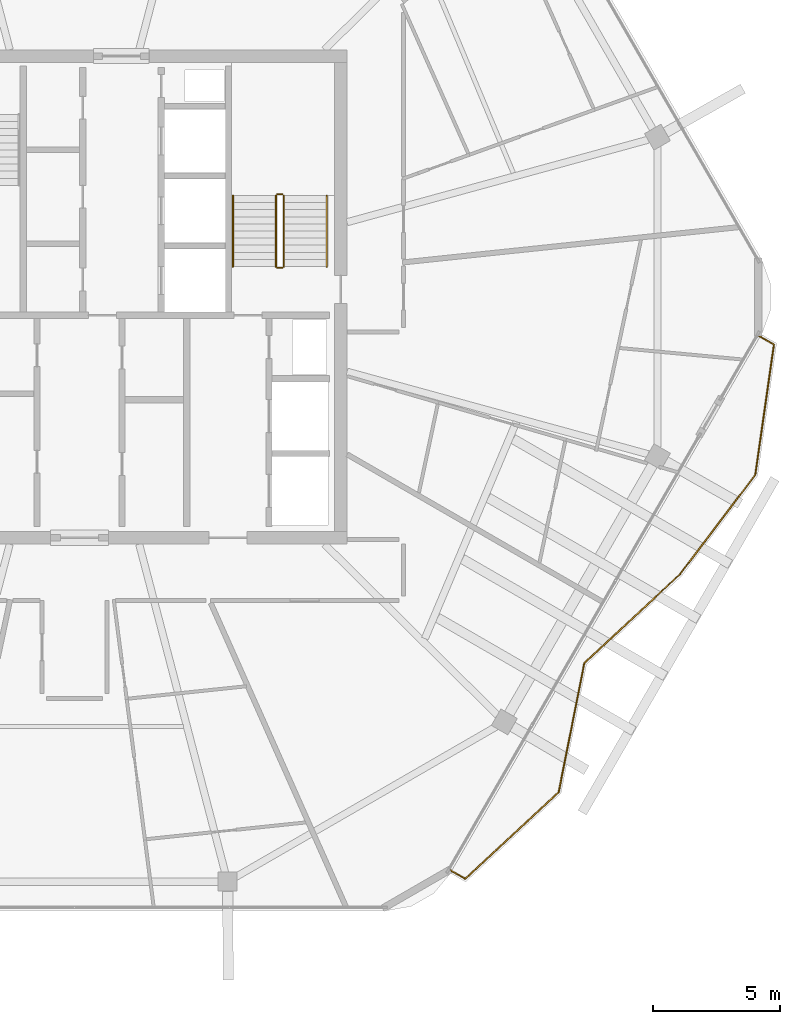
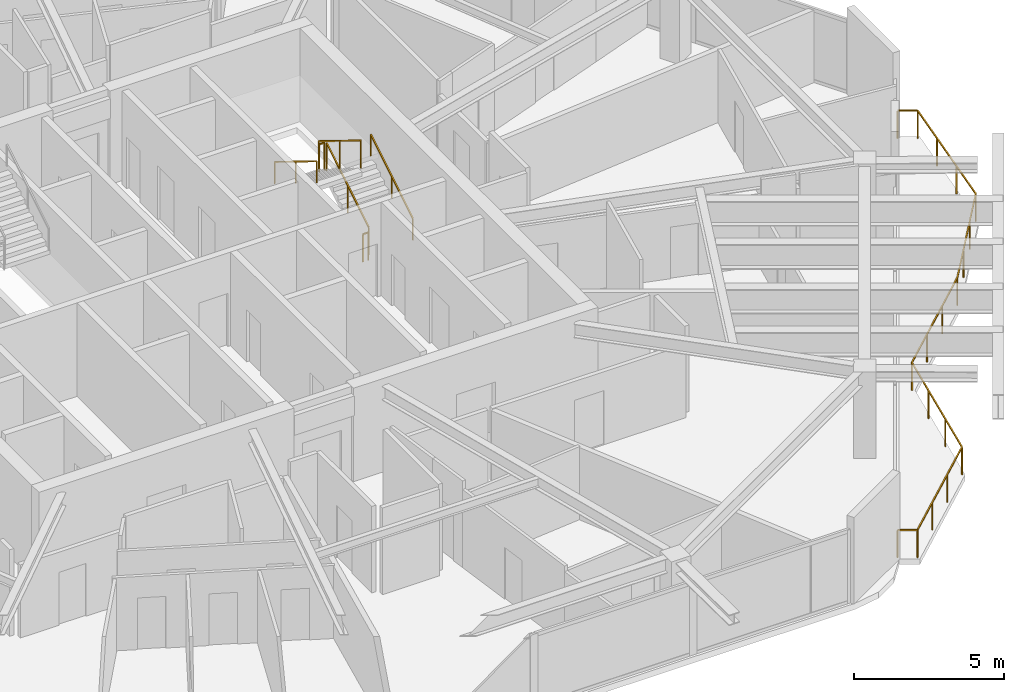
# One storey, part 22 of 23: 7 railings.
"""IFC4 building model written with IfcOpenShell, lengths in metres."""

from ifc_helpers import new_model, si_unit, direction, frame, origin, origin_2d, place, context, subcontext, project, spatial, rectangle, extrude, material, type_object, element, save


model = new_model("IFC4")

# Units and contexts
model_context = context("Model", 3, precision=1e-05, world=origin(), true_north=direction((0.0, 1.0)))
body_context = subcontext(model_context, "Body", "Model", "MODEL_VIEW")
ifc_project = project(units=[si_unit("LENGTHUNIT", "METRE"), si_unit("AREAUNIT", "SQUARE_METRE"), si_unit("VOLUMEUNIT", "CUBIC_METRE"), si_unit("PLANEANGLEUNIT", "RADIAN"), si_unit("MASSUNIT", "GRAM", prefix="KILO")], contexts=[model_context])

# Site, building, storey
site_placement = place(None, origin())
site = spatial("IfcSite", under=ifc_project, at=site_placement, CompositionType="ELEMENT")
building_placement = place(site_placement, origin())
building = spatial("IfcBuilding", under=site, at=building_placement, Name="Zuhravey Tower", CompositionType="ELEMENT")
storey_placement = place(building_placement, frame((0.0, 0.0, 350.0)))
storey = spatial("IfcBuildingStorey", under=building, at=storey_placement, Name="L89", CompositionType="ELEMENT", Elevation=350.0)

# Railings
ifc_material_1 = material(Name="Stainless steel 316 and laminated glass", Category="steel")
railing_type_1 = type_object("IfcRailingType", Name="Balcony & Terrace Guardrail 1150", PredefinedType="BALUSTRADE", material=ifc_material_1)
railing_1_placement = place(storey_placement, frame((63.006591796875, 30.45849609375, 0.0)))
element("IfcRailing", 1, at=railing_1_placement, inside=storey, type_object=railing_type_1, Name="L89 Face 6 Wave Balcony Guardrail GR1", PredefinedType="BALUSTRADE", context=body_context, shape_type="SweptSolid", body=[
    extrude(rectangle(XDim=0.048095703125, YDim=0.048095703125, at=origin_2d()), frame((0.001708984375, -0.0009765625, 1.1259765625), z_axis=(0.865931497966, -0.500162614387, 0.0), x_axis=(0.500162614387, 0.865931497966, 0.0)), (0.0, 0.0, 1.0), 0.668212890625),
    extrude(rectangle(XDim=0.048095703125, YDim=0.048095703125, at=origin_2d()), frame((0.581787109375, -0.338134765625, 1.1259765625), z_axis=(-0.141928123121, -0.989876966025, 0.0), x_axis=(0.989876966025, -0.141928123121, 0.0)), (0.0, 0.0, 1.0), 5.189208984375),
    extrude(rectangle(XDim=0.048095703125, YDim=0.048095703125, at=origin_2d()), frame((-0.15625, -5.478515625, 1.1259765625), z_axis=(-0.604064392377, -0.796935511734, 0.0), x_axis=(0.796935511734, -0.604064392377, 0.0)), (0.0, 0.0, 1.0), 4.907470703125),
    extrude(rectangle(XDim=0.048095703125, YDim=0.048095703125, at=origin_2d()), frame((-3.123291015625, -9.392333984375, 1.1259765625), z_axis=(-0.732208149932, -0.681080924101, 0.0), x_axis=(0.681080924101, -0.732208149932, 0.0)), (0.0, 0.0, 1.0), 5.153076171875),
    extrude(rectangle(XDim=0.048095703125, YDim=0.048095703125, at=origin_2d()), frame((-6.8984375, -12.9052734375, 1.1259765625), z_axis=(-0.194684661155, -0.980865884161, 0.0), x_axis=(0.980865884161, -0.194684661155, 0.0)), (0.0, 0.0, 1.0), 5.178955078125),
    extrude(rectangle(XDim=0.048095703125, YDim=0.048095703125, at=origin_2d()), frame((-7.908447265625, -17.988525390625, 1.1259765625), z_axis=(-0.732698375737, -0.680553517508, 0.0), x_axis=(0.680553517508, -0.732698375737, 0.0)), (0.0, 0.0, 1.0), 5.0244140625),
    extrude(rectangle(XDim=0.048095703125, YDim=0.048095703125, at=origin_2d()), frame((-11.593017578125, -21.408203125, 1.1259765625), z_axis=(-0.865910926182, 0.500198228624, 0.0), x_axis=(-0.500198228624, -0.865910926182, 0.0)), (0.0, 0.0, 1.0), 0.662353515625),
    extrude(rectangle(XDim=0.0419921875, YDim=0.0419921875, at=origin_2d()), origin(), (0.0, 0.0, 1.0), 1.099853515625),
    extrude(rectangle(XDim=0.0419921875, YDim=0.0419921875, at=origin_2d()), frame((0.58203125, -0.336181640625, 0.0)), (0.0, 0.0, 1.0), 1.099853515625),
    extrude(rectangle(XDim=0.0419921875, YDim=0.0419921875, at=origin_2d()), frame((0.33642578125, -2.0498046875, 0.0)), (0.0, 0.0, 1.0), 1.099853515625),
    extrude(rectangle(XDim=0.0419921875, YDim=0.0419921875, at=origin_2d()), frame((0.090576171875, -3.76318359375, 0.0)), (0.0, 0.0, 1.0), 1.099853515625),
    extrude(rectangle(XDim=0.0419921875, YDim=0.0419921875, at=origin_2d()), frame((-0.155029296875, -5.476806640625, 0.0)), (0.0, 0.0, 1.0), 1.099853515625),
    extrude(rectangle(XDim=0.0419921875, YDim=0.0419921875, at=origin_2d()), frame((-1.14404296875, -6.781494140625, 0.0)), (0.0, 0.0, 1.0), 1.099853515625),
    extrude(rectangle(XDim=0.0419921875, YDim=0.0419921875, at=origin_2d()), frame((-2.1328125, -8.086181640625, 0.0)), (0.0, 0.0, 1.0), 1.099853515625),
    extrude(rectangle(XDim=0.0419921875, YDim=0.0419921875, at=origin_2d()), frame((-3.121826171875, -9.390869140625, 0.0)), (0.0, 0.0, 1.0), 1.099853515625),
    extrude(rectangle(XDim=0.0419921875, YDim=0.0419921875, at=origin_2d()), frame((-4.380615234375, -10.561767578125, 0.0)), (0.0, 0.0, 1.0), 1.099853515625),
    extrude(rectangle(XDim=0.0419921875, YDim=0.0419921875, at=origin_2d()), frame((-5.63916015625, -11.732421875, 0.0)), (0.0, 0.0, 1.0), 1.099853515625),
    extrude(rectangle(XDim=0.0419921875, YDim=0.0419921875, at=origin_2d()), frame((-6.89794921875, -12.9033203125, 0.0)), (0.0, 0.0, 1.0), 1.099853515625),
    extrude(rectangle(XDim=0.0419921875, YDim=0.0419921875, at=origin_2d()), frame((-7.234375, -14.597900390625, 0.0)), (0.0, 0.0, 1.0), 1.099853515625),
    extrude(rectangle(XDim=0.0419921875, YDim=0.0419921875, at=origin_2d()), frame((-7.570556640625, -16.29248046875, 0.0)), (0.0, 0.0, 1.0), 1.099853515625),
    extrude(rectangle(XDim=0.0419921875, YDim=0.0419921875, at=origin_2d()), frame((-7.906982421875, -17.987060546875, 0.0)), (0.0, 0.0, 1.0), 1.099853515625),
    extrude(rectangle(XDim=0.0419921875, YDim=0.0419921875, at=origin_2d()), frame((-9.135009765625, -19.127685546875, 0.0)), (0.0, 0.0, 1.0), 1.099853515625),
    extrude(rectangle(XDim=0.0419921875, YDim=0.0419921875, at=origin_2d()), frame((-10.36328125, -20.2685546875, 0.0)), (0.0, 0.0, 1.0), 1.099853515625),
    extrude(rectangle(XDim=0.0419921875, YDim=0.0419921875, at=origin_2d()), frame((-11.59130859375, -21.4091796875, 0.0)), (0.0, 0.0, 1.0), 1.099853515625),
    extrude(rectangle(XDim=0.0419921875, YDim=0.0419921875, at=origin_2d()), frame((-12.168212890625, -21.075927734375, 0.0)), (0.0, 0.0, 1.0), 1.099853515625),
])
ifc_material_2 = material(Name="Brushed stainless steel", Category="steel")
railing_type_2 = type_object("IfcRailingType", Name="Stair Wall Handrail 900", PredefinedType="HANDRAIL", material=ifc_material_2)
railing_2_placement = place(storey_placement, frame((45.949951171875, 33.199951171875, 0.172607421875)))
element("IfcRailing", 2, at=railing_2_placement, inside=storey, type_object=railing_type_2, Name="L89 ST2 stair handrail 1", PredefinedType="HANDRAIL", context=body_context, shape_type="SweptSolid", body=[
    extrude(rectangle(XDim=0.048095703125, YDim=0.048095703125, at=origin_2d()), frame((0.0, 0.001708984375, 0.876953125), z_axis=(0.0, 0.851089632645, 0.525020415988), x_axis=(-1.0, 0.0, 0.0)), (0.0, 0.0, 1.0), 3.285888671875),
    extrude(rectangle(XDim=0.0419921875, YDim=0.0419921875, at=origin_2d()), origin(), (0.0, 0.0, 1.0), 0.849853515625),
    extrude(rectangle(XDim=0.0419921875, YDim=0.0419921875, at=origin_2d()), frame((0.0, 1.39990234375, 0.86376953125)), (0.0, 0.0, 1.0), 0.849853515625),
    extrude(rectangle(XDim=0.0419921875, YDim=0.0419921875, at=origin_2d()), frame((0.0, 2.800048828125, 1.727294921875)), (0.0, 0.0, 1.0), 0.849853515625),
])
railing_3_placement = place(storey_placement, frame((42.25, 36.0, 2.07275390625)))
element("IfcRailing", 3, at=railing_3_placement, inside=storey, type_object=railing_type_2, Name="L89 ST2 stair handrail 2", PredefinedType="HANDRAIL", context=body_context, shape_type="SweptSolid", body=[
    extrude(rectangle(XDim=0.048095703125, YDim=0.048095703125, at=origin_2d()), frame((0.0, -0.001708984375, 0.876953125), z_axis=(0.0, -0.851089632645, 0.525020415988), x_axis=(1.0, 0.0, 0.0)), (0.0, 0.0, 1.0), 3.285888671875),
    extrude(rectangle(XDim=0.0419921875, YDim=0.0419921875, at=origin_2d()), origin(), (0.0, 0.0, 1.0), 0.849853515625),
    extrude(rectangle(XDim=0.0419921875, YDim=0.0419921875, at=origin_2d()), frame((0.0, -1.39990234375, 0.86376953125)), (0.0, 0.0, 1.0), 0.849853515625),
    extrude(rectangle(XDim=0.0419921875, YDim=0.0419921875, at=origin_2d()), frame((0.0, -2.800048828125, 1.727294921875)), (0.0, 0.0, 1.0), 0.849853515625),
])
ifc_material_3 = material(Name="Painted tubular steel", Category="steel")
railing_type_3 = type_object("IfcRailingType", Name="Stair Well Guardrail 1150", PredefinedType="GUARDRAIL", material=ifc_material_3)
railing_4_placement = place(storey_placement, frame((44.25, 33.199951171875, 0.172607421875)))
element("IfcRailing", 4, at=railing_4_placement, inside=storey, type_object=railing_type_3, Name="L89 ST2 stair guard 1", PredefinedType="GUARDRAIL", context=body_context, shape_type="SweptSolid", body=[
    extrude(rectangle(XDim=0.048095703125, YDim=0.048095703125, at=origin_2d()), frame((0.0, 0.001708984375, 1.126953125), z_axis=(0.0, 0.851089632645, 0.525020415988), x_axis=(-1.0, 0.0, 0.0)), (0.0, 0.0, 1.0), 3.285888671875),
    extrude(rectangle(XDim=0.0419921875, YDim=0.0419921875, at=origin_2d()), origin(), (0.0, 0.0, 1.0), 1.099853515625),
    extrude(rectangle(XDim=0.0419921875, YDim=0.0419921875, at=origin_2d()), frame((0.0, 1.39990234375, 0.86376953125)), (0.0, 0.0, 1.0), 1.099853515625),
    extrude(rectangle(XDim=0.0419921875, YDim=0.0419921875, at=origin_2d()), frame((0.0, 2.800048828125, 1.727294921875)), (0.0, 0.0, 1.0), 1.099853515625),
])
railing_5_placement = place(storey_placement, frame((44.199951171875, 36.050048828125, 1.89990234375)))
element("IfcRailing", 5, at=railing_5_placement, inside=storey, type_object=railing_type_3, Name="L89 ST2 stair guard 2", PredefinedType="GUARDRAIL", context=body_context, shape_type="SweptSolid", body=[
    extrude(rectangle(XDim=0.048095703125, YDim=0.048095703125, at=origin_2d()), frame((-0.001953125, 0.0, 1.1259765625), z_axis=(-1.0, 0.0, 0.0), x_axis=(0.0, -1.0, 0.0)), (0.0, 0.0, 1.0), 0.196044921875),
    extrude(rectangle(XDim=0.0419921875, YDim=0.0419921875, at=origin_2d()), origin(), (0.0, 0.0, 1.0), 1.099853515625),
    extrude(rectangle(XDim=0.0419921875, YDim=0.0419921875, at=origin_2d()), frame((-0.199951171875, 0.0, 0.0)), (0.0, 0.0, 1.0), 1.099853515625),
])
railing_6_placement = place(storey_placement, frame((43.949951171875, 36.0, 2.07275390625)))
element("IfcRailing", 6, at=railing_6_placement, inside=storey, type_object=railing_type_3, Name="L89 ST2 stair guard 3", PredefinedType="GUARDRAIL", context=body_context, shape_type="SweptSolid", body=[
    extrude(rectangle(XDim=0.048095703125, YDim=0.048095703125, at=origin_2d()), frame((0.0, -0.001708984375, 1.126953125), z_axis=(0.0, -0.851089632645, 0.525020415988), x_axis=(1.0, 0.0, 0.0)), (0.0, 0.0, 1.0), 3.285888671875),
    extrude(rectangle(XDim=0.0419921875, YDim=0.0419921875, at=origin_2d()), origin(), (0.0, 0.0, 1.0), 1.099853515625),
    extrude(rectangle(XDim=0.0419921875, YDim=0.0419921875, at=origin_2d()), frame((0.0, -1.39990234375, 0.86376953125)), (0.0, 0.0, 1.0), 1.099853515625),
    extrude(rectangle(XDim=0.0419921875, YDim=0.0419921875, at=origin_2d()), frame((0.0, -2.800048828125, 1.727294921875)), (0.0, 0.0, 1.0), 1.099853515625),
])
railing_7_placement = place(storey_placement, frame((44.199951171875, 33.14990234375, 0.0)))
element("IfcRailing", 7, at=railing_7_placement, inside=storey, type_object=railing_type_3, Name="L89 ST2 stair guard 4", PredefinedType="GUARDRAIL", context=body_context, shape_type="SweptSolid", body=[
    extrude(rectangle(XDim=0.048095703125, YDim=0.048095703125, at=origin_2d()), frame((-0.001953125, 0.0, 1.1259765625), z_axis=(-1.0, 0.0, 0.0), x_axis=(0.0, -1.0, 0.0)), (0.0, 0.0, 1.0), 0.196044921875),
    extrude(rectangle(XDim=0.0419921875, YDim=0.0419921875, at=origin_2d()), origin(), (0.0, 0.0, 1.0), 1.099853515625),
    extrude(rectangle(XDim=0.0419921875, YDim=0.0419921875, at=origin_2d()), frame((-0.199951171875, 0.0, 0.0)), (0.0, 0.0, 1.0), 1.099853515625),
])

save(model, "model.ifc")
